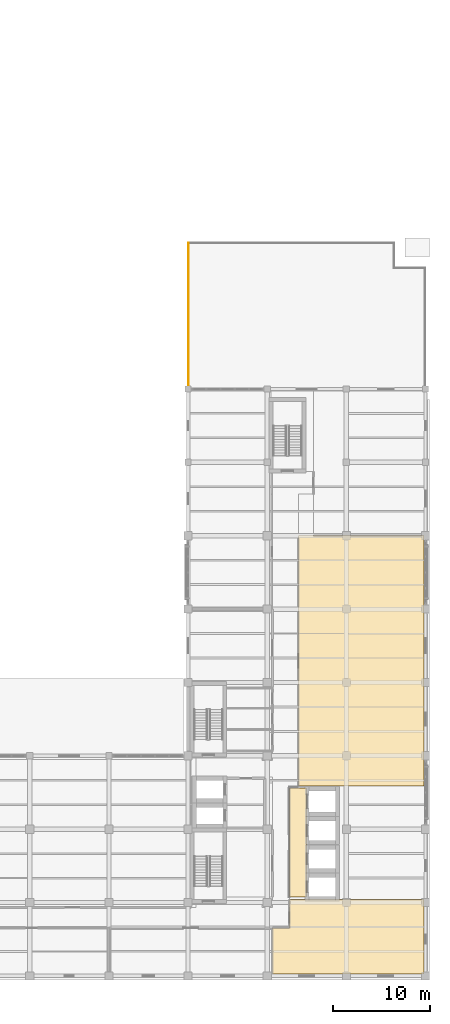
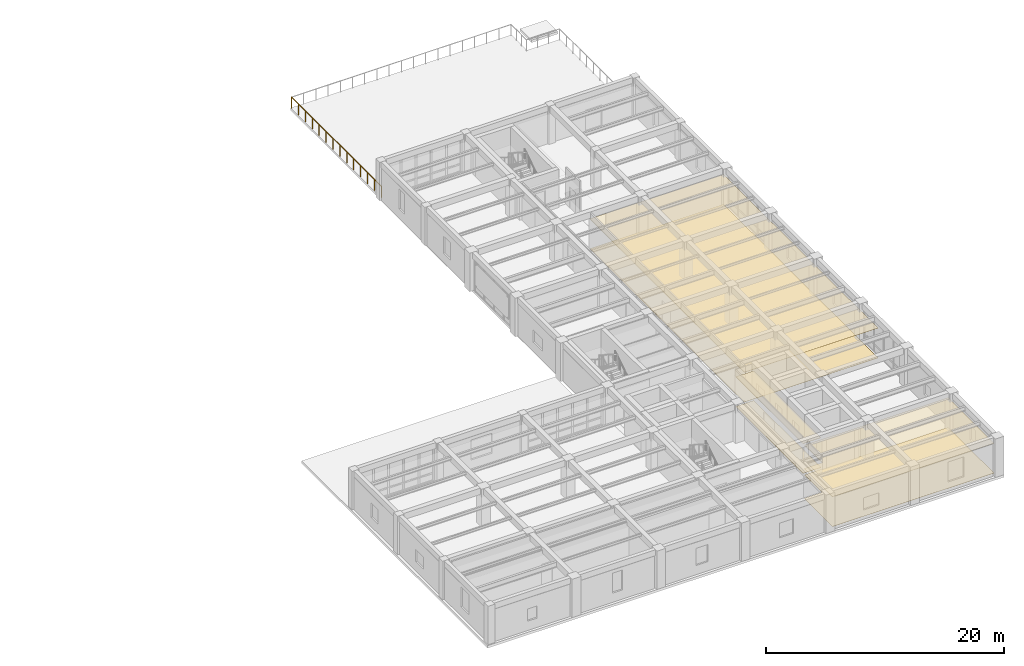
# One storey, part 21 of 22: 6 coverings, 1 railing.
"""IFC4 building model written with IfcOpenShell, lengths in metres."""

import ifcopenshell
import ifcopenshell.guid

model = None  # the IFC model being written
_history = None  # IfcOwnerHistory: only IFC2X3 demands one
_inside = {}  # id of a spatial element -> (the spatial element, [elements in it])
_under = {}  # id of a project, library or spatial element -> (it, [spatial elements below it])
_declared = {}  # id of a project -> (the project, [libraries it declares])
_typed = {}  # id of a type object -> (the type object, [elements of that type])
_made_of = {}  # id of a material, layer set ... -> (it, [elements and type objects made of it])


def new_model(schema):
    """Start an empty IFC model of exactly this schema.

    Asked for "IFC4X3", IfcOpenShell would pick the latest addendum, in which some entities
    have other attributes; the version numbers below select the first issue.
    IFC2X3 requires an IfcOwnerHistory on every rooted entity: one is made here for all.
    """
    global model, _history
    if schema == "IFC4X3":
        model = ifcopenshell.file(schema_version=(4, 3, 0, 0))
    else:
        model = ifcopenshell.file(schema=schema)
    _inside.clear()
    _under.clear()
    _declared.clear()
    _typed.clear()
    _made_of.clear()
    _history = None
    if model.schema == "IFC2X3":
        org = make("IfcOrganization", Name="unknown")
        user = make(
            "IfcPersonAndOrganization",
            ThePerson=make("IfcPerson", FamilyName="unknown"),
            TheOrganization=org,
        )
        app = make(
            "IfcApplication",
            ApplicationDeveloper=org,
            Version="unknown",
            ApplicationFullName="unknown",
            ApplicationIdentifier="unknown",
        )
        _history = make(
            "IfcOwnerHistory",
            OwningUser=user,
            OwningApplication=app,
            ChangeAction="ADDED",
            CreationDate=0,
        )
    return model


def make(cls, **values):
    """One entity of the class cls with the attributes given. An attribute that is None is left unset."""
    return model.create_entity(
        cls, **{name: value for name, value in values.items() if value is not None}
    )


def rooted(cls, **values):
    """An entity with a GlobalId (a new one), such as an element, a storey or a relation."""
    return make(cls, GlobalId=ifcopenshell.guid.new(), OwnerHistory=_history, **values)


def si_unit(unit_type, name, prefix=None):
    """IfcSIUnit, for example si_unit("LENGTHUNIT", "METRE", prefix="MILLI")."""
    return make("IfcSIUnit", UnitType=unit_type, Prefix=prefix, Name=name)


def assignment(units):
    """IfcUnitAssignment: the units of a project."""
    return None if units is None else make("IfcUnitAssignment", Units=units)


def point(xyz):
    """IfcCartesianPoint."""
    return None if xyz is None else make("IfcCartesianPoint", Coordinates=xyz)


def direction(xyz):
    """IfcDirection."""
    return None if xyz is None else make("IfcDirection", DirectionRatios=xyz)


def frame(location, z_axis=None, x_axis=None):
    """IfcAxis2Placement3D, a coordinate frame: its origin and axes. An axis left out is left unset."""
    return make(
        "IfcAxis2Placement3D",
        Location=point(location),
        Axis=direction(z_axis),
        RefDirection=direction(x_axis),
    )


def frame_2d(location, x_axis=None):
    """IfcAxis2Placement2D, a coordinate frame in the plane: its origin and x axis."""
    return make(
        "IfcAxis2Placement2D", Location=point(location), RefDirection=direction(x_axis)
    )


def origin():
    """The frame at (0, 0, 0) with its axes left unset."""
    return frame((0.0, 0.0, 0.0))


def origin_2d():
    """The frame at (0, 0) in the plane with its x axis left unset."""
    return frame_2d((0.0, 0.0))


def place(relative_to, where):
    """IfcLocalPlacement: puts the frame where relative to a parent placement (None: the world)."""
    return make(
        "IfcLocalPlacement", PlacementRelTo=relative_to, RelativePlacement=where
    )


def context(
    kind, dimensions, precision=None, world=None, true_north=None, identifier=None
):
    """IfcGeometricRepresentationContext, for example the 3D "Model" context."""
    return make(
        "IfcGeometricRepresentationContext",
        ContextIdentifier=identifier,
        ContextType=kind,
        CoordinateSpaceDimension=dimensions,
        Precision=precision,
        WorldCoordinateSystem=world,
        TrueNorth=true_north,
    )


def subcontext(parent, identifier, kind, view, scale=None):
    """IfcGeometricRepresentationSubContext, for example "Body" below "Model"."""
    return make(
        "IfcGeometricRepresentationSubContext",
        ContextIdentifier=identifier,
        ContextType=kind,
        ParentContext=parent,
        TargetScale=scale,
        TargetView=view,
    )


def project(units=None, contexts=None):
    """IfcProject with its units and contexts."""
    return rooted(
        "IfcProject",
        Name="project",
        RepresentationContexts=contexts,
        UnitsInContext=assignment(units),
    )


def spatial(cls, under=None, at=None, **own):
    """A site, building, storey or space (cls), placed at a placement, below another one or the project."""
    s = rooted(cls, ObjectPlacement=at, **own)
    if under is not None:
        _under.setdefault(under.id(), (under, []))[1].append(s)
    return s


def polyline(points):
    """IfcPolyline through the points."""
    return make("IfcPolyline", Points=[point(p) for p in points])


def profile(cls, at=None, kind="AREA", **sizes):
    """A parametric profile (cls). Its sizes go by their IFC names, for example OverallWidth=200.0."""
    return make(cls, ProfileType=kind, Position=at, **sizes)


def circle(**sizes):
    """IfcCircleProfileDef."""
    return profile("IfcCircleProfileDef", **sizes)


def outline(outer, holes=None, kind="AREA"):
    """IfcArbitraryClosedProfileDef: a profile drawn as a closed curve; with holes, ...WithVoids."""
    if holes is None:
        return make("IfcArbitraryClosedProfileDef", ProfileType=kind, OuterCurve=outer)
    return make(
        "IfcArbitraryProfileDefWithVoids",
        ProfileType=kind,
        OuterCurve=outer,
        InnerCurves=holes,
    )


def extrude(swept, where, along, depth):
    """IfcExtrudedAreaSolid: the profile swept, set in the frame where, extruded along a direction by depth."""
    return make(
        "IfcExtrudedAreaSolid",
        SweptArea=swept,
        Position=where,
        ExtrudedDirection=direction(along),
        Depth=depth,
    )


def shape(context_of_items, identifier, shape_type, items):
    """IfcShapeRepresentation: the items that make up one representation, for example the "Body"."""
    return make(
        "IfcShapeRepresentation",
        ContextOfItems=context_of_items,
        RepresentationIdentifier=identifier,
        RepresentationType=shape_type,
        Items=items,
    )


def material(Name=None, Category=None):
    """IfcMaterial."""
    return make("IfcMaterial", Name=Name, Category=Category)


def layer(
    of_material, thickness, ventilated=None, Name=None, Category=None, Priority=None
):
    """IfcMaterialLayer: one layer of a wall or slab, of a material (None: an air gap)."""
    return make(
        "IfcMaterialLayer",
        Material=of_material,
        LayerThickness=thickness,
        IsVentilated=ventilated,
        Name=Name,
        Category=Category,
        Priority=Priority,
    )


def layer_set(layers, Name=None):
    """IfcMaterialLayerSet."""
    return make("IfcMaterialLayerSet", MaterialLayers=layers, LayerSetName=Name)


def made_of(thing, what):
    """Note that an element or type object is made of a material, layer set ...; save() writes the relation."""
    if what is not None:
        _made_of.setdefault(what.id(), (what, []))[1].append(thing)
    return thing


def type_object(cls, material=None, **own):
    """A type object (cls), such as IfcWallType, which elements share."""
    return made_of(rooted(cls, **own), material)


def element(
    cls,
    number,
    at=None,
    inside=None,
    cuts=None,
    type_object=None,
    material=None,
    context=None,
    identifier="Body",
    shape_type=None,
    held_by="IfcProductDefinitionShape",
    body=None,
    shapes=None,
    **own,
):
    """One element of the class cls, such as IfcWall. Its Tag is "e" and its number.

    at: its placement. inside: the storey or other place that contains it. cuts: it is an
    opening in that element (IfcRelVoidsElement). A single representation is given by context,
    identifier, shape_type and body (its items); several are given by shapes. held_by: the class
    of the entity that holds the representations. save() writes the other relations.
    """
    e = rooted(cls, Tag="e%d" % number, ObjectPlacement=at, **own)
    if body is not None:
        shapes = [shape(context, identifier, shape_type, body)]
    if shapes is not None:
        e.Representation = make(held_by, Representations=shapes)
    if inside is not None:
        _inside.setdefault(inside.id(), (inside, []))[1].append(e)
    if cuts is not None:
        rooted(
            "IfcRelVoidsElement", RelatingBuildingElement=cuts, RelatedOpeningElement=e
        )
    if type_object is not None:
        _typed.setdefault(type_object.id(), (type_object, []))[1].append(e)
    return made_of(e, material)


def aggregate(whole, parts):
    """IfcRelAggregates: a whole, such as a stair, and the parts it consists of."""
    return rooted("IfcRelAggregates", RelatingObject=whole, RelatedObjects=parts)


def save(model, path):
    """Write the relations noted so far, then the file.

    IfcRelAggregates (storeys below a building ...), IfcRelContainedInSpatialStructure (elements
    in a storey), IfcRelDefinesByType, IfcRelAssociatesMaterial and IfcRelDeclares: one each for
    every whole, place, type object, material and project.
    """
    for whole, parts in _under.values():
        aggregate(whole, parts)
    for where, things in _inside.values():
        rooted(
            "IfcRelContainedInSpatialStructure",
            RelatedElements=things,
            RelatingStructure=where,
        )
    for kind, things in _typed.values():
        rooted("IfcRelDefinesByType", RelatedObjects=things, RelatingType=kind)
    for what, things in _made_of.values():
        rooted("IfcRelAssociatesMaterial", RelatedObjects=things, RelatingMaterial=what)
    for by, libraries in _declared.values():
        rooted("IfcRelDeclares", RelatingContext=by, RelatedDefinitions=libraries)
    model.write(path)


model = new_model("IFC4")

# Units and contexts
model_context = context("Model", 3, precision=1e-05, world=origin(), true_north=direction((0.0, 1.0)))
body_context = subcontext(model_context, "Body", "Model", "MODEL_VIEW")
ifc_project = project(units=[si_unit("LENGTHUNIT", "METRE"), si_unit("AREAUNIT", "SQUARE_METRE"), si_unit("VOLUMEUNIT", "CUBIC_METRE"), si_unit("PLANEANGLEUNIT", "RADIAN"), si_unit("MASSUNIT", "GRAM", prefix="KILO")], contexts=[model_context])

# Site, building, storey
site_placement = place(None, origin())
site = spatial("IfcSite", under=ifc_project, at=site_placement, CompositionType="ELEMENT")
building_placement = place(site_placement, origin())
building = spatial("IfcBuilding", under=site, at=building_placement, Name="Qandaris Square Conservatory and Botanical Centre", CompositionType="ELEMENT")
storey_placement = place(building_placement, frame((0.0, 0.0, 19.800048828125)))
storey = spatial("IfcBuildingStorey", under=building, at=storey_placement, Name="L04", CompositionType="ELEMENT", Elevation=19.800048828125)

# Coverings
ifc_material_1 = material(Name="Honed Qatari Limestone", Category="masonry")
ifc_layer_1 = layer(ifc_material_1, 0.030029296875)
ifc_layer_set_1 = layer_set([ifc_layer_1], Name="Honed Qatari Limestone")
covering_type_1 = type_object("IfcCoveringType", Name="Honed Qatari Limestone Concourse Paving", PredefinedType="FLOORING", material=ifc_layer_set_1)
covering_1_placement = place(storey_placement, origin())
element("IfcCovering", 1, at=covering_1_placement, inside=storey, type_object=covering_type_1, Name="Passenger Lift Lobby L04 Flooring", PredefinedType="FLOORING", context=body_context, shape_type="SweptSolid", body=[
    extrude(outline(polyline([(149.699951171875, 36.050048828125), (151.449951171875, 36.050048828125), (151.449951171875, 24.75), (149.699951171875, 24.75), (149.699951171875, 36.050048828125)])), origin(), (0.0, 0.0, 1.0), 0.030029296875),
])
ifc_material_2 = material(Name="Gypsum Plasterboard", Category="gypsum")
ifc_layer_2 = layer(ifc_material_2, 0.02490234375)
ifc_layer_set_2 = layer_set([ifc_layer_2], Name="Gypsum Plasterboard")
covering_type_2 = type_object("IfcCoveringType", Name="Perforated Acoustic Lab Ceiling Tile", PredefinedType="CEILING", material=ifc_layer_set_2)
covering_2_placement = place(storey_placement, frame((0.0, 0.0, 3.050048828125)))
element("IfcCovering", 2, at=covering_2_placement, inside=storey, type_object=covering_type_2, Name="Passenger Lift Lobby L04 Ceiling", PredefinedType="CEILING", context=body_context, shape_type="SweptSolid", body=[
    extrude(outline(polyline([(149.699951171875, 36.050048828125), (151.449951171875, 36.050048828125), (151.449951171875, 24.75), (149.699951171875, 24.75), (149.699951171875, 36.050048828125)])), origin(), (0.0, 0.0, 1.0), 0.02490234375),
])
covering_3_placement = place(storey_placement, frame((0.0, 0.0, 3.050048828125)))
element("IfcCovering", 3, at=covering_3_placement, inside=storey, type_object=covering_type_2, Name="Floor L04 Instrument and Balance Room Ceiling", PredefinedType="CEILING", context=body_context, shape_type="SweptSolid", body=[
    extrude(outline(polyline([(147.949951171875, 21.550048828125), (149.699951171875, 21.550048828125), (149.699951171875, 23.699951171875), (149.699951171875, 24.5), (163.6201171875, 24.5), (163.6201171875, 16.780029296875), (147.949951171875, 16.780029296875), (147.949951171875, 21.550048828125)])), origin(), (0.0, 0.0, 1.0), 0.02490234375),
])
covering_4_placement = place(storey_placement, frame((0.0, 0.0, 3.050048828125)))
element("IfcCovering", 4, at=covering_4_placement, inside=storey, type_object=covering_type_2, Name="Halophyte Salt-Tolerance Analytical Laboratory Ceiling", PredefinedType="CEILING", context=body_context, shape_type="SweptSolid", body=[
    extrude(outline(polyline([(150.64990234375, 62.199951171875), (163.6201171875, 62.199951171875), (163.6201171875, 36.25), (150.64990234375, 36.25), (150.64990234375, 62.199951171875)])), origin(), (0.0, 0.0, 1.0), 0.02490234375),
])
ifc_material_3 = material(Name="Epoxy Resin Screed", Category="finish")
ifc_layer_3 = layer(ifc_material_3, 0.014892578125)
ifc_layer_set_3 = layer_set([ifc_layer_3], Name="Epoxy Resin Screed")
covering_type_3 = type_object("IfcCoveringType", Name="Seamless Epoxy Laboratory Flooring", PredefinedType="FLOORING", material=ifc_layer_set_3)
covering_5_placement = place(storey_placement, origin())
element("IfcCovering", 5, at=covering_5_placement, inside=storey, type_object=covering_type_3, Name="Floor L04 Instrument and Balance Room Flooring", PredefinedType="FLOORING", context=body_context, shape_type="SweptSolid", body=[
    extrude(outline(polyline([(147.949951171875, 21.550048828125), (149.699951171875, 21.550048828125), (149.699951171875, 23.699951171875), (149.699951171875, 24.5), (163.6201171875, 24.5), (163.6201171875, 16.780029296875), (147.949951171875, 16.780029296875), (147.949951171875, 21.550048828125)])), origin(), (0.0, 0.0, 1.0), 0.014892578125),
])
covering_6_placement = place(storey_placement, origin())
element("IfcCovering", 6, at=covering_6_placement, inside=storey, type_object=covering_type_3, Name="Halophyte Salt-Tolerance Analytical Laboratory Flooring", PredefinedType="FLOORING", context=body_context, shape_type="SweptSolid", body=[
    extrude(outline(polyline([(150.64990234375, 62.199951171875), (163.6201171875, 62.199951171875), (163.6201171875, 36.25), (150.64990234375, 36.25), (150.64990234375, 62.199951171875)])), origin(), (0.0, 0.0, 1.0), 0.014892578125),
])

# Railing
ifc_material_4 = material(Name="Weathering Bronze Alloy", Category="metal")
railing_type = type_object("IfcRailingType", Name="Terrace Perimeter Prairie Guardrail 1150mm", PredefinedType="GUARDRAIL", material=ifc_material_4)
railing_placement = place(storey_placement, frame((139.260009765625, 77.4599609375, 0.0)))
element("IfcRailing", 7, at=railing_placement, inside=storey, type_object=railing_type, Name="Herbarium Roof Botanical Terrace L04 Guardrail 2", PredefinedType="GUARDRAIL", context=body_context, shape_type="SweptSolid", body=[
    extrude(circle(Radius=0.02392578125, at=origin_2d()), frame((0.0, 0.0, 1.1259765625), z_axis=(0.0, 1.0, 0.0), x_axis=(-1.0, 0.0, 0.0)), (0.0, 0.0, 1.0), 15.080078125),
    extrude(circle(Radius=0.02099609375, at=origin_2d()), origin(), (0.0, 0.0, 1.0), 1.101806640625),
    extrude(circle(Radius=0.02099609375, at=origin_2d()), frame((0.0, 1.159912109375, 0.0)), (0.0, 0.0, 1.0), 1.101806640625),
    extrude(circle(Radius=0.02099609375, at=origin_2d()), frame((0.0, 2.320068359375, 0.0)), (0.0, 0.0, 1.0), 1.101806640625),
    extrude(circle(Radius=0.02099609375, at=origin_2d()), frame((0.0, 3.47998046875, 0.0)), (0.0, 0.0, 1.0), 1.101806640625),
    extrude(circle(Radius=0.02099609375, at=origin_2d()), frame((0.0, 4.64013671875, 0.0)), (0.0, 0.0, 1.0), 1.101806640625),
    extrude(circle(Radius=0.02099609375, at=origin_2d()), frame((0.0, 5.800048828125, 0.0)), (0.0, 0.0, 1.0), 1.101806640625),
    extrude(circle(Radius=0.02099609375, at=origin_2d()), frame((0.0, 6.9599609375, 0.0)), (0.0, 0.0, 1.0), 1.101806640625),
    extrude(circle(Radius=0.02099609375, at=origin_2d()), frame((0.0, 8.1201171875, 0.0)), (0.0, 0.0, 1.0), 1.101806640625),
    extrude(circle(Radius=0.02099609375, at=origin_2d()), frame((0.0, 9.280029296875, 0.0)), (0.0, 0.0, 1.0), 1.101806640625),
    extrude(circle(Radius=0.02099609375, at=origin_2d()), frame((0.0, 10.43994140625, 0.0)), (0.0, 0.0, 1.0), 1.101806640625),
    extrude(circle(Radius=0.02099609375, at=origin_2d()), frame((0.0, 11.60009765625, 0.0)), (0.0, 0.0, 1.0), 1.101806640625),
    extrude(circle(Radius=0.02099609375, at=origin_2d()), frame((0.0, 12.760009765625, 0.0)), (0.0, 0.0, 1.0), 1.101806640625),
    extrude(circle(Radius=0.02099609375, at=origin_2d()), frame((0.0, 13.920166015625, 0.0)), (0.0, 0.0, 1.0), 1.101806640625),
    extrude(circle(Radius=0.02099609375, at=origin_2d()), frame((0.0, 15.080078125, 0.0)), (0.0, 0.0, 1.0), 1.101806640625),
])

save(model, "model.ifc")
